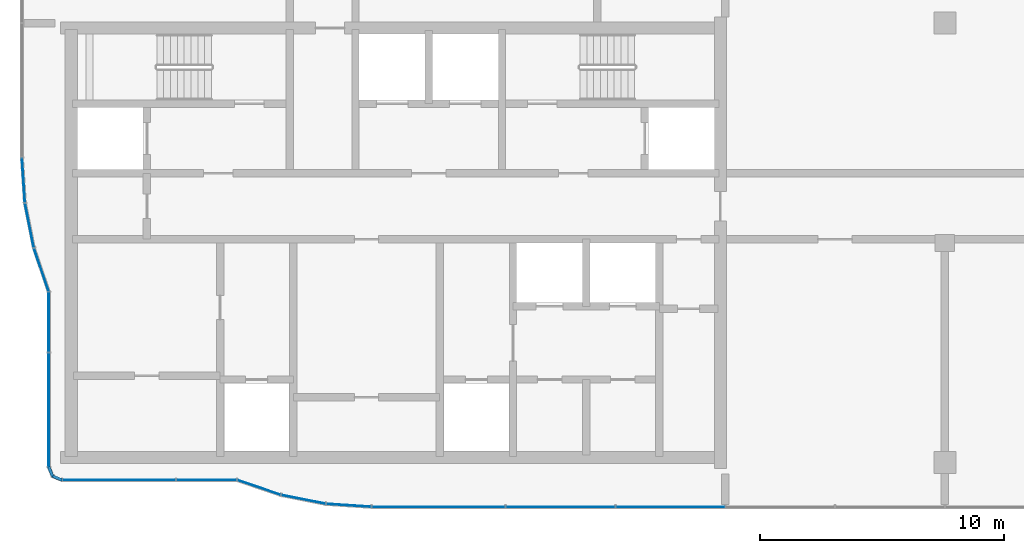
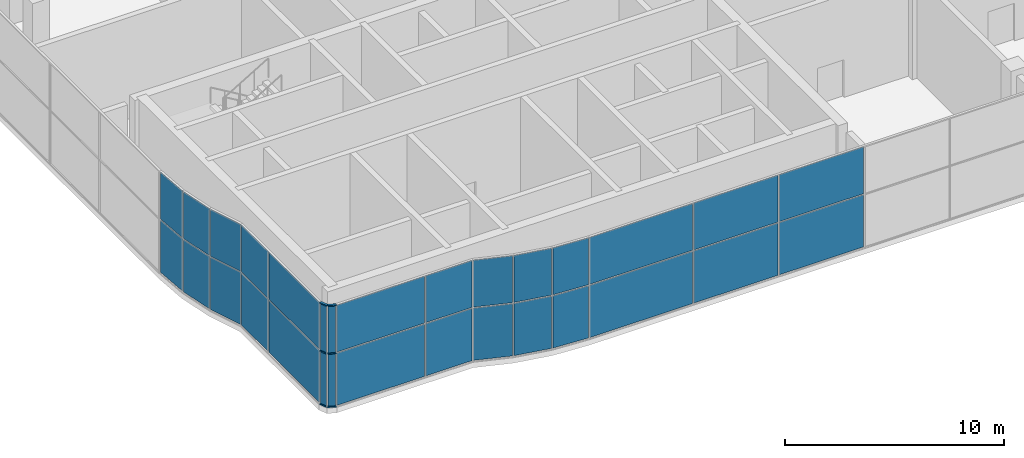
# One storey, part 12 of 19: 30 plates, 6 members, 6 elements without a shape of their own.
"""IFC4 building model written with IfcOpenShell, lengths in metres."""

from ifc_helpers import new_model, si_unit, direction, frame, origin, origin_2d, place, context, subcontext, project, spatial, rectangle, extrude, material, layer, layer_set, material_profile, profile_set, type_object, element, aggregate, save


model = new_model("IFC4")

# Units and contexts
model_context = context("Model", 3, precision=1e-05, world=origin(), true_north=direction((0.0, 1.0)))
body_context = subcontext(model_context, "Body", "Model", "MODEL_VIEW")
ifc_project = project(units=[si_unit("LENGTHUNIT", "METRE"), si_unit("AREAUNIT", "SQUARE_METRE"), si_unit("VOLUMEUNIT", "CUBIC_METRE"), si_unit("PLANEANGLEUNIT", "RADIAN"), si_unit("MASSUNIT", "GRAM", prefix="KILO")], contexts=[model_context])

# Site, building, storey
site_placement = place(None, origin())
site = spatial("IfcSite", under=ifc_project, at=site_placement, CompositionType="ELEMENT")
building_placement = place(site_placement, origin())
building = spatial("IfcBuilding", under=site, at=building_placement, Name="Ogive Portal Towers", CompositionType="ELEMENT")
storey_placement = place(building_placement, frame((0.0, 0.0, 254.89990234375)))
storey = spatial("IfcBuildingStorey", under=building, at=storey_placement, Name="L63", CompositionType="ELEMENT", Elevation=254.89990234375)

# Curtain wall, members
ifc_material_1 = material(Name="Glass, clear low-iron insulated glazing", Category="glass")
curtain_wall_type = type_object("IfcCurtainWallType", Name="CW OBSERVATION WALL", PredefinedType="NOTDEFINED", material=ifc_material_1)
curtain_wall_1_placement = place(storey_placement, origin())
curtain_wall_1 = element("IfcCurtainWall", 1, at=curtain_wall_1_placement, inside=storey, type_object=curtain_wall_type, Name="A:L63:f01:cwa", PredefinedType="NOTDEFINED")
ifc_material_2 = material(Name="Aluminium 6063 anodised", Category="aluminium")
ifc_material_profile = material_profile(ifc_material_2, rectangle(XDim=0.1201171875, YDim=0.06005859375, at=origin_2d()), Name="AL 120x60")
ifc_profile_set = profile_set([ifc_material_profile], Name="Aluminium 6063 anodised")
member_type = type_object("IfcMemberType", Name="CW TRANSOM 60x120", PredefinedType="USERDEFINED", material=ifc_profile_set)
member_1_placement = place(storey_placement, frame((30.780029296875, 21.31591796875, 0.030029296875), z_axis=(0.382754843841, -0.923849949676, 0.0), x_axis=(0.923849949676, 0.382754843841, 0.0)))
member_1 = element("IfcMember", 2, at=member_1_placement, type_object=member_type, Name="transom", ObjectType="TRANSOM", PredefinedType="USERDEFINED", context=body_context, shape_type="SweptSolid", body=[
    extrude(rectangle(XDim=0.1201171875, YDim=0.06005859375, at=origin_2d()), origin(), (0.0, 0.0, 1.0), 0.41015625),
])
member_2_placement = place(storey_placement, frame((30.780029296875, 21.31591796875, 3.0), z_axis=(0.382754843841, -0.923849949676, 0.0), x_axis=(0.923849949676, 0.382754843841, 0.0)))
member_2 = element("IfcMember", 3, at=member_2_placement, type_object=member_type, Name="transom", ObjectType="TRANSOM", PredefinedType="USERDEFINED", context=body_context, shape_type="SweptSolid", body=[
    extrude(rectangle(XDim=0.1201171875, YDim=0.06005859375, at=origin_2d()), origin(), (0.0, 0.0, 1.0), 0.41015625),
])
member_3_placement = place(storey_placement, frame((30.780029296875, 21.31591796875, 5.670166015625), z_axis=(0.382754843841, -0.923849949676, 0.0), x_axis=(0.923849949676, 0.382754843841, 0.0)))
member_3 = element("IfcMember", 4, at=member_3_placement, type_object=member_type, Name="transom", ObjectType="TRANSOM", PredefinedType="USERDEFINED", context=body_context, shape_type="SweptSolid", body=[
    extrude(rectangle(XDim=0.1201171875, YDim=0.06005859375, at=origin_2d()), origin(), (0.0, 0.0, 1.0), 0.41015625),
])
member_4_placement = place(storey_placement, frame((30.93701171875, 20.93701171875, 0.030029296875), z_axis=(0.923849949676, -0.382754843841, 0.0), x_axis=(0.382754843841, 0.923849949676, 0.0)))
member_4 = element("IfcMember", 5, at=member_4_placement, type_object=member_type, Name="transom", ObjectType="TRANSOM", PredefinedType="USERDEFINED", context=body_context, shape_type="SweptSolid", body=[
    extrude(rectangle(XDim=0.1201171875, YDim=0.06005859375, at=origin_2d()), origin(), (0.0, 0.0, 1.0), 0.41015625),
])
member_5_placement = place(storey_placement, frame((30.93701171875, 20.93701171875, 3.0), z_axis=(0.923849949676, -0.382754843841, 0.0), x_axis=(0.382754843841, 0.923849949676, 0.0)))
member_5 = element("IfcMember", 6, at=member_5_placement, type_object=member_type, Name="transom", ObjectType="TRANSOM", PredefinedType="USERDEFINED", context=body_context, shape_type="SweptSolid", body=[
    extrude(rectangle(XDim=0.1201171875, YDim=0.06005859375, at=origin_2d()), origin(), (0.0, 0.0, 1.0), 0.41015625),
])
member_6_placement = place(storey_placement, frame((30.93701171875, 20.93701171875, 5.670166015625), z_axis=(0.923849949676, -0.382754843841, 0.0), x_axis=(0.382754843841, 0.923849949676, 0.0)))
member_6 = element("IfcMember", 7, at=member_6_placement, type_object=member_type, Name="transom", ObjectType="TRANSOM", PredefinedType="USERDEFINED", context=body_context, shape_type="SweptSolid", body=[
    extrude(rectangle(XDim=0.1201171875, YDim=0.06005859375, at=origin_2d()), origin(), (0.0, 0.0, 1.0), 0.41015625),
])

# Curtain wall, plates
curtain_wall_2_placement = place(storey_placement, origin())
curtain_wall_2 = element("IfcCurtainWall", 8, at=curtain_wall_2_placement, inside=storey, type_object=curtain_wall_type, Name="A:L63:f00:cw0", PredefinedType="NOTDEFINED")
ifc_layer = layer(ifc_material_1, 0.028076171875)
ifc_layer_set = layer_set([ifc_layer], Name="CW PANEL IGU 28")
plate_type = type_object("IfcPlateType", Name="CW PANEL IGU 28", PredefinedType="CURTAIN_PANEL", material=ifc_layer_set)
plate_1_placement = place(storey_placement, frame((30.780029296875, 27.247314453125, 0.06005859375), z_axis=(0.0, 0.0, 1.0), x_axis=(0.0, -1.0, 0.0)))
plate_1 = element("IfcPlate", 9, at=plate_1_placement, type_object=plate_type, Name="panel", PredefinedType="CURTAIN_PANEL", context=body_context, shape_type="SweptSolid", body=[
    extrude(rectangle(XDim=2.434814453125, YDim=0.028076171875, at=origin_2d()), origin(), (0.0, 0.0, 1.0), 2.909912109375),
])
plate_2_placement = place(storey_placement, frame((30.780029296875, 27.247314453125, 3.0302734375), z_axis=(0.0, 0.0, 1.0), x_axis=(0.0, -1.0, 0.0)))
plate_2 = element("IfcPlate", 10, at=plate_2_placement, type_object=plate_type, Name="panel", PredefinedType="CURTAIN_PANEL", context=body_context, shape_type="SweptSolid", body=[
    extrude(rectangle(XDim=2.434814453125, YDim=0.028076171875, at=origin_2d()), origin(), (0.0, 0.0, 1.0), 2.610107421875),
])
plate_3_placement = place(storey_placement, frame((30.780029296875, 23.657958984375, 0.06005859375), z_axis=(0.0, 0.0, 1.0), x_axis=(0.0, -1.0, 0.0)))
plate_3 = element("IfcPlate", 11, at=plate_3_placement, type_object=plate_type, Name="panel", PredefinedType="CURTAIN_PANEL", context=body_context, shape_type="SweptSolid", body=[
    extrude(rectangle(XDim=4.6240234375, YDim=0.028076171875, at=origin_2d()), origin(), (0.0, 0.0, 1.0), 2.909912109375),
])
plate_4_placement = place(storey_placement, frame((30.780029296875, 23.657958984375, 3.0302734375), z_axis=(0.0, 0.0, 1.0), x_axis=(0.0, -1.0, 0.0)))
plate_4 = element("IfcPlate", 12, at=plate_4_placement, type_object=plate_type, Name="panel", PredefinedType="CURTAIN_PANEL", context=body_context, shape_type="SweptSolid", body=[
    extrude(rectangle(XDim=4.6240234375, YDim=0.028076171875, at=origin_2d()), origin(), (0.0, 0.0, 1.0), 2.610107421875),
])
aggregate(curtain_wall_2, [plate_1, plate_2, plate_3, plate_4])

curtain_wall_3_placement = place(storey_placement, origin())
curtain_wall_3 = element("IfcCurtainWall", 13, at=curtain_wall_3_placement, inside=storey, type_object=curtain_wall_type, Name="A:L63:f03:cw0", PredefinedType="NOTDEFINED")
plate_5_placement = place(storey_placement, frame((33.657958984375, 20.780029296875, 0.06005859375), z_axis=(0.0, 0.0, 1.0), x_axis=(1.0, 0.0, 0.0)))
plate_5 = element("IfcPlate", 14, at=plate_5_placement, type_object=plate_type, Name="panel", PredefinedType="CURTAIN_PANEL", context=body_context, shape_type="SweptSolid", body=[
    extrude(rectangle(XDim=4.6240234375, YDim=0.028076171875, at=origin_2d()), origin(), (0.0, 0.0, 1.0), 2.909912109375),
])
plate_6_placement = place(storey_placement, frame((33.657958984375, 20.780029296875, 3.0302734375), z_axis=(0.0, 0.0, 1.0), x_axis=(1.0, 0.0, 0.0)))
plate_6 = element("IfcPlate", 15, at=plate_6_placement, type_object=plate_type, Name="panel", PredefinedType="CURTAIN_PANEL", context=body_context, shape_type="SweptSolid", body=[
    extrude(rectangle(XDim=4.6240234375, YDim=0.028076171875, at=origin_2d()), origin(), (0.0, 0.0, 1.0), 2.610107421875),
])
plate_7_placement = place(storey_placement, frame((37.247314453125, 20.780029296875, 0.06005859375), z_axis=(0.0, 0.0, 1.0), x_axis=(1.0, 0.0, 0.0)))
plate_7 = element("IfcPlate", 16, at=plate_7_placement, type_object=plate_type, Name="panel", PredefinedType="CURTAIN_PANEL", context=body_context, shape_type="SweptSolid", body=[
    extrude(rectangle(XDim=2.434814453125, YDim=0.028076171875, at=origin_2d()), origin(), (0.0, 0.0, 1.0), 2.909912109375),
])
plate_8_placement = place(storey_placement, frame((37.247314453125, 20.780029296875, 3.0302734375), z_axis=(0.0, 0.0, 1.0), x_axis=(1.0, 0.0, 0.0)))
plate_8 = element("IfcPlate", 17, at=plate_8_placement, type_object=plate_type, Name="panel", PredefinedType="CURTAIN_PANEL", context=body_context, shape_type="SweptSolid", body=[
    extrude(rectangle(XDim=2.434814453125, YDim=0.028076171875, at=origin_2d()), origin(), (0.0, 0.0, 1.0), 2.610107421875),
])
aggregate(curtain_wall_3, [plate_5, plate_6, plate_7, plate_8])

curtain_wall_4_placement = place(storey_placement, origin())
curtain_wall_4 = element("IfcCurtainWall", 18, at=curtain_wall_4_placement, inside=storey, type_object=curtain_wall_type, Name="A:L63:f07:cw0", PredefinedType="NOTDEFINED")
plate_9_placement = place(storey_placement, frame((46.751220703125, 19.679931640625, 0.06005859375), z_axis=(0.0, 0.0, 1.0), x_axis=(1.0, 0.0, 0.0)))
plate_9 = element("IfcPlate", 19, at=plate_9_placement, type_object=plate_type, Name="panel", PredefinedType="CURTAIN_PANEL", context=body_context, shape_type="SweptSolid", body=[
    extrude(rectangle(XDim=5.4375, YDim=0.028076171875, at=origin_2d()), origin(), (0.0, 0.0, 1.0), 2.909912109375),
])
plate_10_placement = place(storey_placement, frame((46.751220703125, 19.679931640625, 3.0302734375), z_axis=(0.0, 0.0, 1.0), x_axis=(1.0, 0.0, 0.0)))
plate_10 = element("IfcPlate", 20, at=plate_10_placement, type_object=plate_type, Name="panel", PredefinedType="CURTAIN_PANEL", context=body_context, shape_type="SweptSolid", body=[
    extrude(rectangle(XDim=5.4375, YDim=0.028076171875, at=origin_2d()), origin(), (0.0, 0.0, 1.0), 2.610107421875),
])
plate_11_placement = place(storey_placement, frame((51.75, 19.679931640625, 0.06005859375), z_axis=(0.0, 0.0, 1.0), x_axis=(1.0, 0.0, 0.0)))
plate_11 = element("IfcPlate", 21, at=plate_11_placement, type_object=plate_type, Name="panel", PredefinedType="CURTAIN_PANEL", context=body_context, shape_type="SweptSolid", body=[
    extrude(rectangle(XDim=4.43994140625, YDim=0.028076171875, at=origin_2d()), origin(), (0.0, 0.0, 1.0), 2.909912109375),
])
plate_12_placement = place(storey_placement, frame((51.75, 19.679931640625, 3.0302734375), z_axis=(0.0, 0.0, 1.0), x_axis=(1.0, 0.0, 0.0)))
plate_12 = element("IfcPlate", 22, at=plate_12_placement, type_object=plate_type, Name="panel", PredefinedType="CURTAIN_PANEL", context=body_context, shape_type="SweptSolid", body=[
    extrude(rectangle(XDim=4.43994140625, YDim=0.028076171875, at=origin_2d()), origin(), (0.0, 0.0, 1.0), 2.610107421875),
])
plate_13_placement = place(storey_placement, frame((56.25, 19.679931640625, 0.06005859375), z_axis=(0.0, 0.0, 1.0), x_axis=(1.0, 0.0, 0.0)))
plate_13 = element("IfcPlate", 23, at=plate_13_placement, type_object=plate_type, Name="panel", PredefinedType="CURTAIN_PANEL", context=body_context, shape_type="SweptSolid", body=[
    extrude(rectangle(XDim=4.43994140625, YDim=0.028076171875, at=origin_2d()), origin(), (0.0, 0.0, 1.0), 2.909912109375),
])
plate_14_placement = place(storey_placement, frame((56.25, 19.679931640625, 3.0302734375), z_axis=(0.0, 0.0, 1.0), x_axis=(1.0, 0.0, 0.0)))
plate_14 = element("IfcPlate", 24, at=plate_14_placement, type_object=plate_type, Name="panel", PredefinedType="CURTAIN_PANEL", context=body_context, shape_type="SweptSolid", body=[
    extrude(rectangle(XDim=4.43994140625, YDim=0.028076171875, at=origin_2d()), origin(), (0.0, 0.0, 1.0), 2.610107421875),
])
aggregate(curtain_wall_4, [plate_9, plate_10, plate_11, plate_12, plate_13, plate_14])

# Plate
plate_15_placement = place(storey_placement, frame((30.8583984375, 21.12646484375, 0.06005859375), z_axis=(0.0, 0.0, 1.0), x_axis=(0.382683432365, -0.923879532511, 0.0)))
plate_15 = element("IfcPlate", 25, at=plate_15_placement, type_object=plate_type, Name="panel", PredefinedType="CURTAIN_PANEL", context=body_context, shape_type="SweptSolid", body=[
    extrude(rectangle(XDim=0.35009765625, YDim=0.028076171875, at=origin_2d()), origin(), (0.0, 0.0, 1.0), 2.909912109375),
])

plate_16_placement = place(storey_placement, frame((30.8583984375, 21.12646484375, 3.0302734375), z_axis=(0.0, 0.0, 1.0), x_axis=(0.382683432365, -0.923879532511, 0.0)))
plate_16 = element("IfcPlate", 26, at=plate_16_placement, type_object=plate_type, Name="panel", PredefinedType="CURTAIN_PANEL", context=body_context, shape_type="SweptSolid", body=[
    extrude(rectangle(XDim=0.35009765625, YDim=0.028076171875, at=origin_2d()), origin(), (0.0, 0.0, 1.0), 2.610107421875),
])

plate_17_placement = place(storey_placement, frame((31.12646484375, 20.8583984375, 0.06005859375), z_axis=(0.0, 0.0, 1.0), x_axis=(0.923879532511, -0.382683432365, 0.0)))
plate_17 = element("IfcPlate", 27, at=plate_17_placement, type_object=plate_type, Name="panel", PredefinedType="CURTAIN_PANEL", context=body_context, shape_type="SweptSolid", body=[
    extrude(rectangle(XDim=0.35009765625, YDim=0.028076171875, at=origin_2d()), origin(), (0.0, 0.0, 1.0), 2.909912109375),
])

plate_18_placement = place(storey_placement, frame((31.12646484375, 20.8583984375, 3.0302734375), z_axis=(0.0, 0.0, 1.0), x_axis=(0.923879532511, -0.382683432365, 0.0)))
plate_18 = element("IfcPlate", 28, at=plate_18_placement, type_object=plate_type, Name="panel", PredefinedType="CURTAIN_PANEL", context=body_context, shape_type="SweptSolid", body=[
    extrude(rectangle(XDim=0.35009765625, YDim=0.028076171875, at=origin_2d()), origin(), (0.0, 0.0, 1.0), 2.610107421875),
])

aggregate(curtain_wall_1, [member_1, member_2, member_3, member_4, member_5, member_6, plate_15, plate_16, plate_17, plate_18])

# Curtain wall, plates
curtain_wall_5_placement = place(storey_placement, origin())
curtain_wall_5 = element("IfcCurtainWall", 29, at=curtain_wall_5_placement, inside=storey, type_object=curtain_wall_type, Name="A:L63:f04:cwa", PredefinedType="NOTDEFINED")
plate_19_placement = place(storey_placement, frame((39.394287109375, 20.47412109375, 0.06005859375), z_axis=(0.0, 0.0, 1.0), x_axis=(0.946736187494, -0.322010234759, 0.0)))
plate_19 = element("IfcPlate", 30, at=plate_19_placement, type_object=plate_type, Name="panel", PredefinedType="CURTAIN_PANEL", context=body_context, shape_type="SweptSolid", body=[
    extrude(rectangle(XDim=1.84033203125, YDim=0.028076171875, at=origin_2d()), origin(), (0.0, 0.0, 1.0), 2.909912109375),
])
plate_20_placement = place(storey_placement, frame((39.394287109375, 20.47412109375, 3.0302734375), z_axis=(0.0, 0.0, 1.0), x_axis=(0.946736187494, -0.322010234759, 0.0)))
plate_20 = element("IfcPlate", 31, at=plate_20_placement, type_object=plate_type, Name="panel", PredefinedType="CURTAIN_PANEL", context=body_context, shape_type="SweptSolid", body=[
    extrude(rectangle(XDim=1.84033203125, YDim=0.028076171875, at=origin_2d()), origin(), (0.0, 0.0, 1.0), 2.610107421875),
])
plate_21_placement = place(storey_placement, frame((41.21240234375, 19.9853515625, 0.06005859375), z_axis=(0.0, 0.0, 1.0), x_axis=(0.980785280403, -0.195090322016, 0.0)))
plate_21 = element("IfcPlate", 32, at=plate_21_placement, type_object=plate_type, Name="panel", PredefinedType="CURTAIN_PANEL", context=body_context, shape_type="SweptSolid", body=[
    extrude(rectangle(XDim=1.81298828125, YDim=0.028076171875, at=origin_2d()), origin(), (0.0, 0.0, 1.0), 2.909912109375),
])
plate_22_placement = place(storey_placement, frame((41.21240234375, 19.9853515625, 3.0302734375), z_axis=(0.0, 0.0, 1.0), x_axis=(0.980785280403, -0.195090322016, 0.0)))
plate_22 = element("IfcPlate", 33, at=plate_22_placement, type_object=plate_type, Name="panel", PredefinedType="CURTAIN_PANEL", context=body_context, shape_type="SweptSolid", body=[
    extrude(rectangle(XDim=1.81298828125, YDim=0.028076171875, at=origin_2d()), origin(), (0.0, 0.0, 1.0), 2.610107421875),
])
plate_23_placement = place(storey_placement, frame((43.066650390625, 19.741455078125, 0.06005859375), z_axis=(0.0, 0.0, 1.0), x_axis=(0.997858923239, -0.06540312923, 0.0)))
plate_23 = element("IfcPlate", 34, at=plate_23_placement, type_object=plate_type, Name="panel", PredefinedType="CURTAIN_PANEL", context=body_context, shape_type="SweptSolid", body=[
    extrude(rectangle(XDim=1.815673828125, YDim=0.028076171875, at=origin_2d()), origin(), (0.0, 0.0, 1.0), 2.909912109375),
])
plate_24_placement = place(storey_placement, frame((43.066650390625, 19.741455078125, 3.0302734375), z_axis=(0.0, 0.0, 1.0), x_axis=(0.997858923239, -0.06540312923, 0.0)))
plate_24 = element("IfcPlate", 35, at=plate_24_placement, type_object=plate_type, Name="panel", PredefinedType="CURTAIN_PANEL", context=body_context, shape_type="SweptSolid", body=[
    extrude(rectangle(XDim=1.815673828125, YDim=0.028076171875, at=origin_2d()), origin(), (0.0, 0.0, 1.0), 2.610107421875),
])
aggregate(curtain_wall_5, [plate_19, plate_20, plate_21, plate_22, plate_23, plate_24])

curtain_wall_6_placement = place(storey_placement, origin())
curtain_wall_6 = element("IfcCurtainWall", 36, at=curtain_wall_6_placement, inside=storey, type_object=curtain_wall_type, Name="A:L63:f26:cwa", PredefinedType="NOTDEFINED")
plate_25_placement = place(storey_placement, frame((29.741455078125, 33.066650390625, 0.06005859375), z_axis=(0.0, 0.0, 1.0), x_axis=(0.06540312923, -0.997858923239, 0.0)))
plate_25 = element("IfcPlate", 37, at=plate_25_placement, type_object=plate_type, Name="panel", PredefinedType="CURTAIN_PANEL", context=body_context, shape_type="SweptSolid", body=[
    extrude(rectangle(XDim=1.815673828125, YDim=0.028076171875, at=origin_2d()), origin(), (0.0, 0.0, 1.0), 2.909912109375),
])
plate_26_placement = place(storey_placement, frame((29.741455078125, 33.066650390625, 3.0302734375), z_axis=(0.0, 0.0, 1.0), x_axis=(0.06540312923, -0.997858923239, 0.0)))
plate_26 = element("IfcPlate", 38, at=plate_26_placement, type_object=plate_type, Name="panel", PredefinedType="CURTAIN_PANEL", context=body_context, shape_type="SweptSolid", body=[
    extrude(rectangle(XDim=1.815673828125, YDim=0.028076171875, at=origin_2d()), origin(), (0.0, 0.0, 1.0), 2.610107421875),
])
plate_27_placement = place(storey_placement, frame((29.9853515625, 31.21240234375, 0.06005859375), z_axis=(0.0, 0.0, 1.0), x_axis=(0.195090322016, -0.980785280403, 0.0)))
plate_27 = element("IfcPlate", 39, at=plate_27_placement, type_object=plate_type, Name="panel", PredefinedType="CURTAIN_PANEL", context=body_context, shape_type="SweptSolid", body=[
    extrude(rectangle(XDim=1.81298828125, YDim=0.028076171875, at=origin_2d()), origin(), (0.0, 0.0, 1.0), 2.909912109375),
])
plate_28_placement = place(storey_placement, frame((29.9853515625, 31.21240234375, 3.0302734375), z_axis=(0.0, 0.0, 1.0), x_axis=(0.195090322016, -0.980785280403, 0.0)))
plate_28 = element("IfcPlate", 40, at=plate_28_placement, type_object=plate_type, Name="panel", PredefinedType="CURTAIN_PANEL", context=body_context, shape_type="SweptSolid", body=[
    extrude(rectangle(XDim=1.81298828125, YDim=0.028076171875, at=origin_2d()), origin(), (0.0, 0.0, 1.0), 2.610107421875),
])
plate_29_placement = place(storey_placement, frame((30.47412109375, 29.394287109375, 0.06005859375), z_axis=(0.0, 0.0, 1.0), x_axis=(0.322010234759, -0.946736187494, 0.0)))
plate_29 = element("IfcPlate", 41, at=plate_29_placement, type_object=plate_type, Name="panel", PredefinedType="CURTAIN_PANEL", context=body_context, shape_type="SweptSolid", body=[
    extrude(rectangle(XDim=1.84033203125, YDim=0.028076171875, at=origin_2d()), origin(), (0.0, 0.0, 1.0), 2.909912109375),
])
plate_30_placement = place(storey_placement, frame((30.47412109375, 29.394287109375, 3.0302734375), z_axis=(0.0, 0.0, 1.0), x_axis=(0.322010234759, -0.946736187494, 0.0)))
plate_30 = element("IfcPlate", 42, at=plate_30_placement, type_object=plate_type, Name="panel", PredefinedType="CURTAIN_PANEL", context=body_context, shape_type="SweptSolid", body=[
    extrude(rectangle(XDim=1.84033203125, YDim=0.028076171875, at=origin_2d()), origin(), (0.0, 0.0, 1.0), 2.610107421875),
])
aggregate(curtain_wall_6, [plate_25, plate_26, plate_27, plate_28, plate_29, plate_30])

save(model, "model.ifc")
